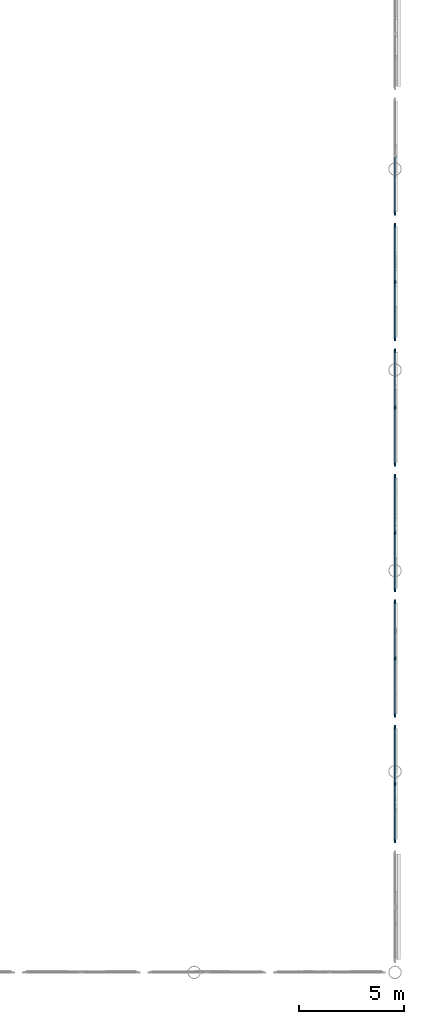
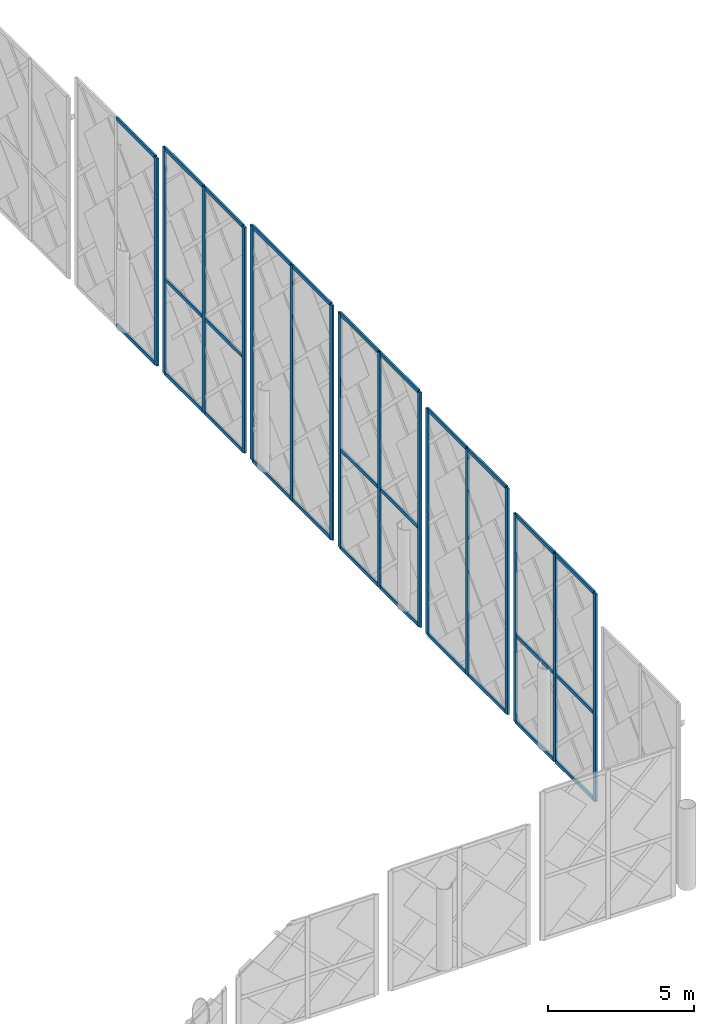
# One storey, part 21 of 53: 44 members, 6 elements without a shape of their own.
"""IFC4 building model written with IfcOpenShell, lengths in metres."""

from ifc_helpers import new_model, si_unit, direction, frame, origin, origin_2d, place, context, subcontext, project, spatial, rectangle, extrude, material, layer, layer_set, material_profile, profile_set, type_object, element, aggregate, save


model = new_model("IFC4")

# Units and contexts
model_context = context("Model", 3, precision=1e-05, world=origin(), true_north=direction((0.0, 1.0)))
body_context = subcontext(model_context, "Body", "Model", "MODEL_VIEW")
ifc_project = project(units=[si_unit("LENGTHUNIT", "METRE"), si_unit("AREAUNIT", "SQUARE_METRE"), si_unit("VOLUMEUNIT", "CUBIC_METRE"), si_unit("PLANEANGLEUNIT", "RADIAN"), si_unit("MASSUNIT", "GRAM", prefix="KILO")], contexts=[model_context])

# Site, building, storey
site_placement = place(None, origin())
site = spatial("IfcSite", under=ifc_project, at=site_placement, CompositionType="ELEMENT")
building_placement = place(site_placement, origin())
building = spatial("IfcBuilding", under=site, at=building_placement, Name="Zevrakil Square Congress Hotel", CompositionType="ELEMENT")
storey_placement = place(building_placement, frame((0.0, 0.0, 14.699951171875)))
storey = spatial("IfcBuildingStorey", under=building, at=storey_placement, Name="L04", CompositionType="ELEMENT", Elevation=14.699951171875)

# Curtain wall, members
ifc_material_1 = material(Name="Aluminium Anodised Bronze", Category="aluminium")
ifc_layer = layer(ifc_material_1, 0.179931640625)
ifc_layer_set = layer_set([ifc_layer], Name="Aluminium Anodised Bronze")
curtain_wall_type = type_object("IfcCurtainWallType", Name="CW-L01-560", PredefinedType="USERDEFINED", material=ifc_layer_set)
curtain_wall_1_placement = place(storey_placement, origin())
curtain_wall_1 = element("IfcCurtainWall", 1, at=curtain_wall_1_placement, inside=storey, type_object=curtain_wall_type, Name="L04 diamond curtain wall CW-L04-0076", ObjectType="GLAZED CURTAIN WALL", PredefinedType="USERDEFINED")
ifc_material_2 = material(Name="Aluminium Anodised Bronze", Category="aluminium")
ifc_material_profile_1 = material_profile(ifc_material_2, rectangle(XDim=0.074951171875, YDim=0.14990234375, at=origin_2d()), Name="ALU 75x150")
ifc_profile_set_1 = profile_set([ifc_material_profile_1], Name="Aluminium Anodised Bronze")
member_type_1 = type_object("IfcMemberType", Name="CWM-ALU75x150", PredefinedType="USERDEFINED", material=ifc_profile_set_1)
member_1_placement = place(storey_placement, frame((165.60009765625, 71.110107421875, -0.22998046875), z_axis=(0.0, 1.0, 0.0), x_axis=(-1.0, 0.0, 0.0)))
member_1 = element("IfcMember", 2, at=member_1_placement, type_object=member_type_1, Name="CW-08 transom 1.1", ObjectType="TRANSOM", PredefinedType="USERDEFINED", context=body_context, shape_type="SweptSolid", body=[
    extrude(rectangle(XDim=0.074951171875, YDim=0.14990234375, at=origin_2d()), origin(), (0.0, 0.0, 1.0), 2.659912109375),
])
member_2_placement = place(storey_placement, frame((165.60009765625, 71.110107421875, 3.385986328125), z_axis=(0.0, 1.0, 0.0), x_axis=(-1.0, 0.0, 0.0)))
member_2 = element("IfcMember", 3, at=member_2_placement, type_object=member_type_1, Name="CW-08 transom 1.2", ObjectType="TRANSOM", PredefinedType="USERDEFINED", context=body_context, shape_type="SweptSolid", body=[
    extrude(rectangle(XDim=0.074951171875, YDim=0.14990234375, at=origin_2d()), origin(), (0.0, 0.0, 1.0), 2.659912109375),
])
member_3_placement = place(storey_placement, frame((165.60009765625, 71.110107421875, 8.39111328125), z_axis=(0.0, 1.0, 0.0), x_axis=(-1.0, 0.0, 0.0)))
member_3 = element("IfcMember", 4, at=member_3_placement, type_object=member_type_1, Name="CW-08 transom 1.3", ObjectType="TRANSOM", PredefinedType="USERDEFINED", context=body_context, shape_type="SweptSolid", body=[
    extrude(rectangle(XDim=0.074951171875, YDim=0.14990234375, at=origin_2d()), origin(), (0.0, 0.0, 1.0), 2.659912109375),
])
member_4_placement = place(storey_placement, frame((165.60009765625, 73.830078125, -0.22998046875), z_axis=(0.0, 1.0, 0.0), x_axis=(-1.0, 0.0, 0.0)))
member_4 = element("IfcMember", 5, at=member_4_placement, type_object=member_type_1, Name="CW-08 transom 2.1", ObjectType="TRANSOM", PredefinedType="USERDEFINED", context=body_context, shape_type="SweptSolid", body=[
    extrude(rectangle(XDim=0.074951171875, YDim=0.14990234375, at=origin_2d()), origin(), (0.0, 0.0, 1.0), 2.659912109375),
])
member_5_placement = place(storey_placement, frame((165.60009765625, 73.830078125, 3.385986328125), z_axis=(0.0, 1.0, 0.0), x_axis=(-1.0, 0.0, 0.0)))
member_5 = element("IfcMember", 6, at=member_5_placement, type_object=member_type_1, Name="CW-08 transom 2.2", ObjectType="TRANSOM", PredefinedType="USERDEFINED", context=body_context, shape_type="SweptSolid", body=[
    extrude(rectangle(XDim=0.074951171875, YDim=0.14990234375, at=origin_2d()), origin(), (0.0, 0.0, 1.0), 2.659912109375),
])
member_6_placement = place(storey_placement, frame((165.60009765625, 73.830078125, 8.39111328125), z_axis=(0.0, 1.0, 0.0), x_axis=(-1.0, 0.0, 0.0)))
member_6 = element("IfcMember", 7, at=member_6_placement, type_object=member_type_1, Name="CW-08 transom 2.3", ObjectType="TRANSOM", PredefinedType="USERDEFINED", context=body_context, shape_type="SweptSolid", body=[
    extrude(rectangle(XDim=0.074951171875, YDim=0.14990234375, at=origin_2d()), origin(), (0.0, 0.0, 1.0), 2.659912109375),
])

curtain_wall_2_placement = place(storey_placement, origin())
curtain_wall_2 = element("IfcCurtainWall", 8, at=curtain_wall_2_placement, inside=storey, type_object=curtain_wall_type, Name="L04 diamond curtain wall CW-L04-0077", ObjectType="GLAZED CURTAIN WALL", PredefinedType="USERDEFINED")
member_7_placement = place(storey_placement, frame((165.60009765625, 77.110107421875, -0.22998046875), z_axis=(0.0, 1.0, 0.0), x_axis=(-1.0, 0.0, 0.0)))
member_7 = element("IfcMember", 9, at=member_7_placement, type_object=member_type_1, Name="CW-08 transom 1.1", ObjectType="TRANSOM", PredefinedType="USERDEFINED", context=body_context, shape_type="SweptSolid", body=[
    extrude(rectangle(XDim=0.074951171875, YDim=0.14990234375, at=origin_2d()), origin(), (0.0, 0.0, 1.0), 2.659912109375),
])
member_8_placement = place(storey_placement, frame((165.60009765625, 77.110107421875, 9.14111328125), z_axis=(0.0, 1.0, 0.0), x_axis=(-1.0, 0.0, 0.0)))
member_8 = element("IfcMember", 10, at=member_8_placement, type_object=member_type_1, Name="CW-08 transom 1.2", ObjectType="TRANSOM", PredefinedType="USERDEFINED", context=body_context, shape_type="SweptSolid", body=[
    extrude(rectangle(XDim=0.074951171875, YDim=0.14990234375, at=origin_2d()), origin(), (0.0, 0.0, 1.0), 2.659912109375),
])
member_9_placement = place(storey_placement, frame((165.60009765625, 79.830078125, -0.22998046875), z_axis=(0.0, 1.0, 0.0), x_axis=(-1.0, 0.0, 0.0)))
member_9 = element("IfcMember", 11, at=member_9_placement, type_object=member_type_1, Name="CW-08 transom 2.1", ObjectType="TRANSOM", PredefinedType="USERDEFINED", context=body_context, shape_type="SweptSolid", body=[
    extrude(rectangle(XDim=0.074951171875, YDim=0.14990234375, at=origin_2d()), origin(), (0.0, 0.0, 1.0), 2.659912109375),
])
member_10_placement = place(storey_placement, frame((165.60009765625, 79.830078125, 9.14111328125), z_axis=(0.0, 1.0, 0.0), x_axis=(-1.0, 0.0, 0.0)))
member_10 = element("IfcMember", 12, at=member_10_placement, type_object=member_type_1, Name="CW-08 transom 2.2", ObjectType="TRANSOM", PredefinedType="USERDEFINED", context=body_context, shape_type="SweptSolid", body=[
    extrude(rectangle(XDim=0.074951171875, YDim=0.14990234375, at=origin_2d()), origin(), (0.0, 0.0, 1.0), 2.659912109375),
])

curtain_wall_3_placement = place(storey_placement, origin())
curtain_wall_3 = element("IfcCurtainWall", 13, at=curtain_wall_3_placement, inside=storey, type_object=curtain_wall_type, Name="L04 diamond curtain wall CW-L04-0078", ObjectType="GLAZED CURTAIN WALL", PredefinedType="USERDEFINED")
member_11_placement = place(storey_placement, frame((165.60009765625, 83.110107421875, -0.22998046875), z_axis=(0.0, 1.0, 0.0), x_axis=(-1.0, 0.0, 0.0)))
member_11 = element("IfcMember", 14, at=member_11_placement, type_object=member_type_1, Name="CW-08 transom 1.1", ObjectType="TRANSOM", PredefinedType="USERDEFINED", context=body_context, shape_type="SweptSolid", body=[
    extrude(rectangle(XDim=0.074951171875, YDim=0.14990234375, at=origin_2d()), origin(), (0.0, 0.0, 1.0), 2.659912109375),
])
member_12_placement = place(storey_placement, frame((165.60009765625, 83.110107421875, 3.858642578125), z_axis=(0.0, 1.0, 0.0), x_axis=(-1.0, 0.0, 0.0)))
member_12 = element("IfcMember", 15, at=member_12_placement, type_object=member_type_1, Name="CW-08 transom 1.2", ObjectType="TRANSOM", PredefinedType="USERDEFINED", context=body_context, shape_type="SweptSolid", body=[
    extrude(rectangle(XDim=0.074951171875, YDim=0.14990234375, at=origin_2d()), origin(), (0.0, 0.0, 1.0), 2.659912109375),
])
member_13_placement = place(storey_placement, frame((165.60009765625, 83.110107421875, 9.51611328125), z_axis=(0.0, 1.0, 0.0), x_axis=(-1.0, 0.0, 0.0)))
member_13 = element("IfcMember", 16, at=member_13_placement, type_object=member_type_1, Name="CW-08 transom 1.3", ObjectType="TRANSOM", PredefinedType="USERDEFINED", context=body_context, shape_type="SweptSolid", body=[
    extrude(rectangle(XDim=0.074951171875, YDim=0.14990234375, at=origin_2d()), origin(), (0.0, 0.0, 1.0), 2.659912109375),
])
member_14_placement = place(storey_placement, frame((165.60009765625, 85.830078125, -0.22998046875), z_axis=(0.0, 1.0, 0.0), x_axis=(-1.0, 0.0, 0.0)))
member_14 = element("IfcMember", 17, at=member_14_placement, type_object=member_type_1, Name="CW-08 transom 2.1", ObjectType="TRANSOM", PredefinedType="USERDEFINED", context=body_context, shape_type="SweptSolid", body=[
    extrude(rectangle(XDim=0.074951171875, YDim=0.14990234375, at=origin_2d()), origin(), (0.0, 0.0, 1.0), 2.659912109375),
])
member_15_placement = place(storey_placement, frame((165.60009765625, 85.830078125, 3.858642578125), z_axis=(0.0, 1.0, 0.0), x_axis=(-1.0, 0.0, 0.0)))
member_15 = element("IfcMember", 18, at=member_15_placement, type_object=member_type_1, Name="CW-08 transom 2.2", ObjectType="TRANSOM", PredefinedType="USERDEFINED", context=body_context, shape_type="SweptSolid", body=[
    extrude(rectangle(XDim=0.074951171875, YDim=0.14990234375, at=origin_2d()), origin(), (0.0, 0.0, 1.0), 2.659912109375),
])
member_16_placement = place(storey_placement, frame((165.60009765625, 85.830078125, 9.51611328125), z_axis=(0.0, 1.0, 0.0), x_axis=(-1.0, 0.0, 0.0)))
member_16 = element("IfcMember", 19, at=member_16_placement, type_object=member_type_1, Name="CW-08 transom 2.3", ObjectType="TRANSOM", PredefinedType="USERDEFINED", context=body_context, shape_type="SweptSolid", body=[
    extrude(rectangle(XDim=0.074951171875, YDim=0.14990234375, at=origin_2d()), origin(), (0.0, 0.0, 1.0), 2.659912109375),
])

curtain_wall_4_placement = place(storey_placement, origin())
curtain_wall_4 = element("IfcCurtainWall", 20, at=curtain_wall_4_placement, inside=storey, type_object=curtain_wall_type, Name="L04 diamond curtain wall CW-L04-0079", ObjectType="GLAZED CURTAIN WALL", PredefinedType="USERDEFINED")
member_17_placement = place(storey_placement, frame((165.60009765625, 89.110107421875, -0.22998046875), z_axis=(0.0, 1.0, 0.0), x_axis=(-1.0, 0.0, 0.0)))
member_17 = element("IfcMember", 21, at=member_17_placement, type_object=member_type_1, Name="CW-08 transom 1.1", ObjectType="TRANSOM", PredefinedType="USERDEFINED", context=body_context, shape_type="SweptSolid", body=[
    extrude(rectangle(XDim=0.074951171875, YDim=0.14990234375, at=origin_2d()), origin(), (0.0, 0.0, 1.0), 2.659912109375),
])
member_18_placement = place(storey_placement, frame((165.60009765625, 89.110107421875, 9.51611328125), z_axis=(0.0, 1.0, 0.0), x_axis=(-1.0, 0.0, 0.0)))
member_18 = element("IfcMember", 22, at=member_18_placement, type_object=member_type_1, Name="CW-08 transom 1.2", ObjectType="TRANSOM", PredefinedType="USERDEFINED", context=body_context, shape_type="SweptSolid", body=[
    extrude(rectangle(XDim=0.074951171875, YDim=0.14990234375, at=origin_2d()), origin(), (0.0, 0.0, 1.0), 2.659912109375),
])
member_19_placement = place(storey_placement, frame((165.60009765625, 91.830078125, -0.22998046875), z_axis=(0.0, 1.0, 0.0), x_axis=(-1.0, 0.0, 0.0)))
member_19 = element("IfcMember", 23, at=member_19_placement, type_object=member_type_1, Name="CW-08 transom 2.1", ObjectType="TRANSOM", PredefinedType="USERDEFINED", context=body_context, shape_type="SweptSolid", body=[
    extrude(rectangle(XDim=0.074951171875, YDim=0.14990234375, at=origin_2d()), origin(), (0.0, 0.0, 1.0), 2.659912109375),
])
member_20_placement = place(storey_placement, frame((165.60009765625, 91.830078125, 9.51611328125), z_axis=(0.0, 1.0, 0.0), x_axis=(-1.0, 0.0, 0.0)))
member_20 = element("IfcMember", 24, at=member_20_placement, type_object=member_type_1, Name="CW-08 transom 2.2", ObjectType="TRANSOM", PredefinedType="USERDEFINED", context=body_context, shape_type="SweptSolid", body=[
    extrude(rectangle(XDim=0.074951171875, YDim=0.14990234375, at=origin_2d()), origin(), (0.0, 0.0, 1.0), 2.659912109375),
])

curtain_wall_5_placement = place(storey_placement, origin())
curtain_wall_5 = element("IfcCurtainWall", 25, at=curtain_wall_5_placement, inside=storey, type_object=curtain_wall_type, Name="L04 diamond curtain wall CW-L04-0080", ObjectType="GLAZED CURTAIN WALL", PredefinedType="USERDEFINED")
member_21_placement = place(storey_placement, frame((165.60009765625, 95.110107421875, -0.22998046875), z_axis=(0.0, 1.0, 0.0), x_axis=(-1.0, 0.0, 0.0)))
member_21 = element("IfcMember", 26, at=member_21_placement, type_object=member_type_1, Name="CW-08 transom 1.1", ObjectType="TRANSOM", PredefinedType="USERDEFINED", context=body_context, shape_type="SweptSolid", body=[
    extrude(rectangle(XDim=0.074951171875, YDim=0.14990234375, at=origin_2d()), origin(), (0.0, 0.0, 1.0), 2.659912109375),
])
member_22_placement = place(storey_placement, frame((165.60009765625, 95.110107421875, 3.700927734375), z_axis=(0.0, 1.0, 0.0), x_axis=(-1.0, 0.0, 0.0)))
member_22 = element("IfcMember", 27, at=member_22_placement, type_object=member_type_1, Name="CW-08 transom 1.2", ObjectType="TRANSOM", PredefinedType="USERDEFINED", context=body_context, shape_type="SweptSolid", body=[
    extrude(rectangle(XDim=0.074951171875, YDim=0.14990234375, at=origin_2d()), origin(), (0.0, 0.0, 1.0), 2.659912109375),
])
member_23_placement = place(storey_placement, frame((165.60009765625, 95.110107421875, 9.14111328125), z_axis=(0.0, 1.0, 0.0), x_axis=(-1.0, 0.0, 0.0)))
member_23 = element("IfcMember", 28, at=member_23_placement, type_object=member_type_1, Name="CW-08 transom 1.3", ObjectType="TRANSOM", PredefinedType="USERDEFINED", context=body_context, shape_type="SweptSolid", body=[
    extrude(rectangle(XDim=0.074951171875, YDim=0.14990234375, at=origin_2d()), origin(), (0.0, 0.0, 1.0), 2.659912109375),
])
member_24_placement = place(storey_placement, frame((165.60009765625, 97.830078125, -0.22998046875), z_axis=(0.0, 1.0, 0.0), x_axis=(-1.0, 0.0, 0.0)))
member_24 = element("IfcMember", 29, at=member_24_placement, type_object=member_type_1, Name="CW-08 transom 2.1", ObjectType="TRANSOM", PredefinedType="USERDEFINED", context=body_context, shape_type="SweptSolid", body=[
    extrude(rectangle(XDim=0.074951171875, YDim=0.14990234375, at=origin_2d()), origin(), (0.0, 0.0, 1.0), 2.659912109375),
])
member_25_placement = place(storey_placement, frame((165.60009765625, 97.830078125, 3.700927734375), z_axis=(0.0, 1.0, 0.0), x_axis=(-1.0, 0.0, 0.0)))
member_25 = element("IfcMember", 30, at=member_25_placement, type_object=member_type_1, Name="CW-08 transom 2.2", ObjectType="TRANSOM", PredefinedType="USERDEFINED", context=body_context, shape_type="SweptSolid", body=[
    extrude(rectangle(XDim=0.074951171875, YDim=0.14990234375, at=origin_2d()), origin(), (0.0, 0.0, 1.0), 2.659912109375),
])
member_26_placement = place(storey_placement, frame((165.60009765625, 97.830078125, 9.14111328125), z_axis=(0.0, 1.0, 0.0), x_axis=(-1.0, 0.0, 0.0)))
member_26 = element("IfcMember", 31, at=member_26_placement, type_object=member_type_1, Name="CW-08 transom 2.3", ObjectType="TRANSOM", PredefinedType="USERDEFINED", context=body_context, shape_type="SweptSolid", body=[
    extrude(rectangle(XDim=0.074951171875, YDim=0.14990234375, at=origin_2d()), origin(), (0.0, 0.0, 1.0), 2.659912109375),
])

curtain_wall_6_placement = place(storey_placement, origin())
curtain_wall_6 = element("IfcCurtainWall", 32, at=curtain_wall_6_placement, inside=storey, type_object=curtain_wall_type, Name="L04 diamond curtain wall CW-L04-0081", ObjectType="GLAZED CURTAIN WALL", PredefinedType="USERDEFINED")
member_27_placement = place(storey_placement, frame((165.60009765625, 101.110107421875, -0.22998046875), z_axis=(0.0, 1.0, 0.0), x_axis=(-1.0, 0.0, 0.0)))
member_27 = element("IfcMember", 33, at=member_27_placement, type_object=member_type_1, Name="CW-08 transom 1.1", ObjectType="TRANSOM", PredefinedType="USERDEFINED", context=body_context, shape_type="SweptSolid", body=[
    extrude(rectangle(XDim=0.074951171875, YDim=0.14990234375, at=origin_2d()), origin(), (0.0, 0.0, 1.0), 2.659912109375),
])
member_28_placement = place(storey_placement, frame((165.60009765625, 101.110107421875, 8.39111328125), z_axis=(0.0, 1.0, 0.0), x_axis=(-1.0, 0.0, 0.0)))
member_28 = element("IfcMember", 34, at=member_28_placement, type_object=member_type_1, Name="CW-08 transom 1.2", ObjectType="TRANSOM", PredefinedType="USERDEFINED", context=body_context, shape_type="SweptSolid", body=[
    extrude(rectangle(XDim=0.074951171875, YDim=0.14990234375, at=origin_2d()), origin(), (0.0, 0.0, 1.0), 2.659912109375),
])

# Member
ifc_material_3 = material(Name="Aluminium Anodised Bronze", Category="aluminium")
ifc_material_profile_2 = material_profile(ifc_material_3, rectangle(XDim=0.074951171875, YDim=0.179931640625, at=origin_2d()), Name="ALU 75x180")
ifc_profile_set_2 = profile_set([ifc_material_profile_2], Name="Aluminium Anodised Bronze")
member_type_2 = type_object("IfcMemberType", Name="CWM-ALU75x180", PredefinedType="MULLION", material=ifc_profile_set_2)
member_29_placement = place(storey_placement, frame((165.60009765625, 71.080078125, -0.260009765625), z_axis=(0.0, 0.0, 1.0), x_axis=(-1.0, 0.0, 0.0)))
member_29 = element("IfcMember", 35, at=member_29_placement, type_object=member_type_2, Name="CW-08 mullion 1", PredefinedType="MULLION", context=body_context, shape_type="SweptSolid", body=[
    extrude(rectangle(XDim=0.074951171875, YDim=0.179931640625, at=origin_2d()), origin(), (0.0, 0.0, 1.0), 8.68115234375),
])

member_30_placement = place(storey_placement, frame((165.60009765625, 73.800048828125, -0.260009765625), z_axis=(0.0, 0.0, 1.0), x_axis=(-1.0, 0.0, 0.0)))
member_30 = element("IfcMember", 36, at=member_30_placement, type_object=member_type_2, Name="CW-08 mullion 2", PredefinedType="MULLION", context=body_context, shape_type="SweptSolid", body=[
    extrude(rectangle(XDim=0.074951171875, YDim=0.179931640625, at=origin_2d()), origin(), (0.0, 0.0, 1.0), 8.68115234375),
])

member_31_placement = place(storey_placement, frame((165.60009765625, 76.52001953125, -0.260009765625), z_axis=(0.0, 0.0, 1.0), x_axis=(-1.0, 0.0, 0.0)))
member_31 = element("IfcMember", 37, at=member_31_placement, type_object=member_type_2, Name="CW-08 mullion 3", PredefinedType="MULLION", context=body_context, shape_type="SweptSolid", body=[
    extrude(rectangle(XDim=0.074951171875, YDim=0.179931640625, at=origin_2d()), origin(), (0.0, 0.0, 1.0), 8.68115234375),
])

aggregate(curtain_wall_1, [member_29, member_30, member_31, member_1, member_2, member_3, member_4, member_5, member_6])

member_32_placement = place(storey_placement, frame((165.60009765625, 77.080078125, -0.260009765625), z_axis=(0.0, 0.0, 1.0), x_axis=(-1.0, 0.0, 0.0)))
member_32 = element("IfcMember", 38, at=member_32_placement, type_object=member_type_2, Name="CW-08 mullion 1", PredefinedType="MULLION", context=body_context, shape_type="SweptSolid", body=[
    extrude(rectangle(XDim=0.074951171875, YDim=0.179931640625, at=origin_2d()), origin(), (0.0, 0.0, 1.0), 9.43115234375),
])

member_33_placement = place(storey_placement, frame((165.60009765625, 79.800048828125, -0.260009765625), z_axis=(0.0, 0.0, 1.0), x_axis=(-1.0, 0.0, 0.0)))
member_33 = element("IfcMember", 39, at=member_33_placement, type_object=member_type_2, Name="CW-08 mullion 2", PredefinedType="MULLION", context=body_context, shape_type="SweptSolid", body=[
    extrude(rectangle(XDim=0.074951171875, YDim=0.179931640625, at=origin_2d()), origin(), (0.0, 0.0, 1.0), 9.43115234375),
])

member_34_placement = place(storey_placement, frame((165.60009765625, 82.52001953125, -0.260009765625), z_axis=(0.0, 0.0, 1.0), x_axis=(-1.0, 0.0, 0.0)))
member_34 = element("IfcMember", 40, at=member_34_placement, type_object=member_type_2, Name="CW-08 mullion 3", PredefinedType="MULLION", context=body_context, shape_type="SweptSolid", body=[
    extrude(rectangle(XDim=0.074951171875, YDim=0.179931640625, at=origin_2d()), origin(), (0.0, 0.0, 1.0), 9.43115234375),
])

aggregate(curtain_wall_2, [member_32, member_33, member_34, member_7, member_8, member_9, member_10])

member_35_placement = place(storey_placement, frame((165.60009765625, 83.080078125, -0.260009765625), z_axis=(0.0, 0.0, 1.0), x_axis=(-1.0, 0.0, 0.0)))
member_35 = element("IfcMember", 41, at=member_35_placement, type_object=member_type_2, Name="CW-08 mullion 1", PredefinedType="MULLION", context=body_context, shape_type="SweptSolid", body=[
    extrude(rectangle(XDim=0.074951171875, YDim=0.179931640625, at=origin_2d()), origin(), (0.0, 0.0, 1.0), 9.80615234375),
])

member_36_placement = place(storey_placement, frame((165.60009765625, 85.800048828125, -0.260009765625), z_axis=(0.0, 0.0, 1.0), x_axis=(-1.0, 0.0, 0.0)))
member_36 = element("IfcMember", 42, at=member_36_placement, type_object=member_type_2, Name="CW-08 mullion 2", PredefinedType="MULLION", context=body_context, shape_type="SweptSolid", body=[
    extrude(rectangle(XDim=0.074951171875, YDim=0.179931640625, at=origin_2d()), origin(), (0.0, 0.0, 1.0), 9.80615234375),
])

member_37_placement = place(storey_placement, frame((165.60009765625, 88.52001953125, -0.260009765625), z_axis=(0.0, 0.0, 1.0), x_axis=(-1.0, 0.0, 0.0)))
member_37 = element("IfcMember", 43, at=member_37_placement, type_object=member_type_2, Name="CW-08 mullion 3", PredefinedType="MULLION", context=body_context, shape_type="SweptSolid", body=[
    extrude(rectangle(XDim=0.074951171875, YDim=0.179931640625, at=origin_2d()), origin(), (0.0, 0.0, 1.0), 9.80615234375),
])

aggregate(curtain_wall_3, [member_35, member_36, member_37, member_11, member_12, member_13, member_14, member_15, member_16])

member_38_placement = place(storey_placement, frame((165.60009765625, 89.080078125, -0.260009765625), z_axis=(0.0, 0.0, 1.0), x_axis=(-1.0, 0.0, 0.0)))
member_38 = element("IfcMember", 44, at=member_38_placement, type_object=member_type_2, Name="CW-08 mullion 1", PredefinedType="MULLION", context=body_context, shape_type="SweptSolid", body=[
    extrude(rectangle(XDim=0.074951171875, YDim=0.179931640625, at=origin_2d()), origin(), (0.0, 0.0, 1.0), 9.80615234375),
])

member_39_placement = place(storey_placement, frame((165.60009765625, 91.800048828125, -0.260009765625), z_axis=(0.0, 0.0, 1.0), x_axis=(-1.0, 0.0, 0.0)))
member_39 = element("IfcMember", 45, at=member_39_placement, type_object=member_type_2, Name="CW-08 mullion 2", PredefinedType="MULLION", context=body_context, shape_type="SweptSolid", body=[
    extrude(rectangle(XDim=0.074951171875, YDim=0.179931640625, at=origin_2d()), origin(), (0.0, 0.0, 1.0), 9.80615234375),
])

member_40_placement = place(storey_placement, frame((165.60009765625, 94.52001953125, -0.260009765625), z_axis=(0.0, 0.0, 1.0), x_axis=(-1.0, 0.0, 0.0)))
member_40 = element("IfcMember", 46, at=member_40_placement, type_object=member_type_2, Name="CW-08 mullion 3", PredefinedType="MULLION", context=body_context, shape_type="SweptSolid", body=[
    extrude(rectangle(XDim=0.074951171875, YDim=0.179931640625, at=origin_2d()), origin(), (0.0, 0.0, 1.0), 9.80615234375),
])

aggregate(curtain_wall_4, [member_38, member_39, member_40, member_17, member_18, member_19, member_20])

member_41_placement = place(storey_placement, frame((165.60009765625, 95.080078125, -0.260009765625), z_axis=(0.0, 0.0, 1.0), x_axis=(-1.0, 0.0, 0.0)))
member_41 = element("IfcMember", 47, at=member_41_placement, type_object=member_type_2, Name="CW-08 mullion 1", PredefinedType="MULLION", context=body_context, shape_type="SweptSolid", body=[
    extrude(rectangle(XDim=0.074951171875, YDim=0.179931640625, at=origin_2d()), origin(), (0.0, 0.0, 1.0), 9.43115234375),
])

member_42_placement = place(storey_placement, frame((165.60009765625, 97.800048828125, -0.260009765625), z_axis=(0.0, 0.0, 1.0), x_axis=(-1.0, 0.0, 0.0)))
member_42 = element("IfcMember", 48, at=member_42_placement, type_object=member_type_2, Name="CW-08 mullion 2", PredefinedType="MULLION", context=body_context, shape_type="SweptSolid", body=[
    extrude(rectangle(XDim=0.074951171875, YDim=0.179931640625, at=origin_2d()), origin(), (0.0, 0.0, 1.0), 9.43115234375),
])

member_43_placement = place(storey_placement, frame((165.60009765625, 100.52001953125, -0.260009765625), z_axis=(0.0, 0.0, 1.0), x_axis=(-1.0, 0.0, 0.0)))
member_43 = element("IfcMember", 49, at=member_43_placement, type_object=member_type_2, Name="CW-08 mullion 3", PredefinedType="MULLION", context=body_context, shape_type="SweptSolid", body=[
    extrude(rectangle(XDim=0.074951171875, YDim=0.179931640625, at=origin_2d()), origin(), (0.0, 0.0, 1.0), 9.43115234375),
])

aggregate(curtain_wall_5, [member_41, member_42, member_43, member_21, member_22, member_23, member_24, member_25, member_26])

member_44_placement = place(storey_placement, frame((165.60009765625, 101.080078125, -0.260009765625), z_axis=(0.0, 0.0, 1.0), x_axis=(-1.0, 0.0, 0.0)))
member_44 = element("IfcMember", 50, at=member_44_placement, type_object=member_type_2, Name="CW-08 mullion 1", PredefinedType="MULLION", context=body_context, shape_type="SweptSolid", body=[
    extrude(rectangle(XDim=0.074951171875, YDim=0.179931640625, at=origin_2d()), origin(), (0.0, 0.0, 1.0), 8.68115234375),
])

aggregate(curtain_wall_6, [member_44, member_27, member_28])

save(model, "model.ifc")
